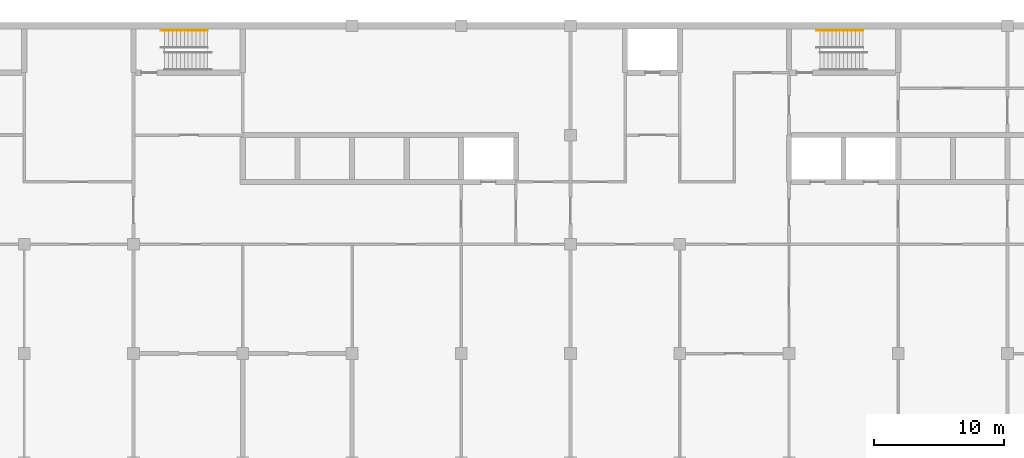
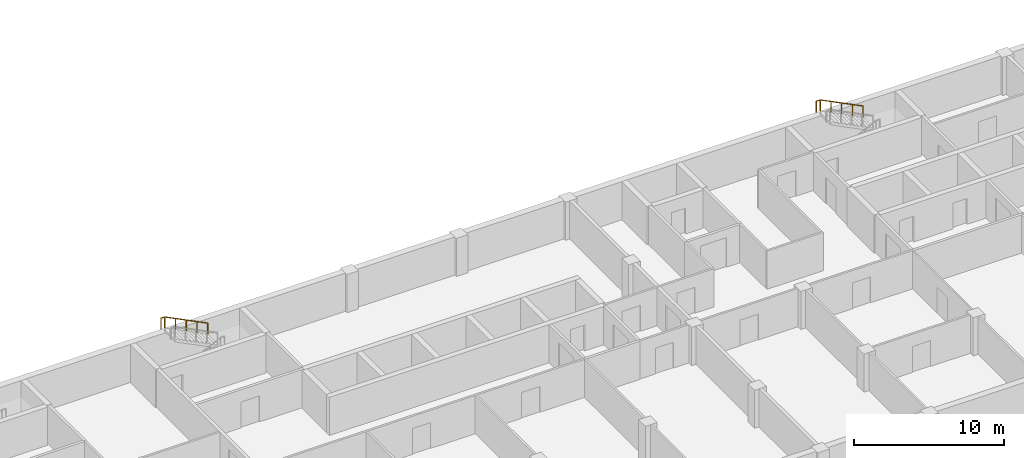
# One storey, part 11 of 12: 2 railings.
"""IFC4 building model written with IfcOpenShell, lengths in metres."""

from ifc_helpers import new_model, si_unit, direction, frame, origin, origin_2d, place, context, subcontext, project, spatial, circle, extrude, material, type_object, element, save


model = new_model("IFC4")

# Units and contexts
model_context = context("Model", 3, precision=1e-05, world=origin(), true_north=direction((0.0, 1.0)))
body_context = subcontext(model_context, "Body", "Model", "MODEL_VIEW")
ifc_project = project(units=[si_unit("LENGTHUNIT", "METRE"), si_unit("AREAUNIT", "SQUARE_METRE"), si_unit("VOLUMEUNIT", "CUBIC_METRE"), si_unit("PLANEANGLEUNIT", "RADIAN"), si_unit("MASSUNIT", "GRAM", prefix="KILO")], contexts=[model_context])

# Site, building, storey
site_placement = place(None, origin())
site = spatial("IfcSite", under=ifc_project, at=site_placement, CompositionType="ELEMENT")
building_placement = place(site_placement, origin())
building = spatial("IfcBuilding", under=site, at=building_placement, Name="Yavir Park General Hospital", CompositionType="ELEMENT")
storey_placement = place(building_placement, frame((0.0, 0.0, -7.800048828125)))
storey = spatial("IfcBuildingStorey", under=building, at=storey_placement, Name="B2", CompositionType="ELEMENT", Elevation=-7.800048828125)

# Railings
ifc_material = material(Name="Stainless steel tube 48 mm", Category="steel")
railing_type = type_object("IfcRailingType", Name="Stair handrail, steel tube, 900 mm above the nosings", PredefinedType="HANDRAIL", material=ifc_material)
railing_1_placement = place(storey_placement, frame((72.89990234375, 33.260009765625, 1.949951171875)))
element("IfcRailing", 1, at=railing_1_placement, inside=storey, type_object=railing_type, Name="Handrail BS3 B2 3", PredefinedType="HANDRAIL", context=body_context, shape_type="SweptSolid", body=[
    extrude(circle(Radius=0.02392578125, at=origin_2d()), frame((0.0, 0.0, 0.8759765625), z_axis=(-0.894400720042, 0.0, 0.447266533499), x_axis=(0.0, -1.0, 0.0)), (0.0, 0.0, 1.0), 3.689453125),
    extrude(circle(Radius=0.02392578125, at=origin_2d()), frame((-3.2998046875, 0.0, 2.52587890625), z_axis=(-1.0, 0.0, 0.0), x_axis=(0.0, -1.0, 0.0)), (0.0, 0.0, 1.0), 0.300048828125),
    extrude(circle(Radius=0.02099609375, at=origin_2d()), origin(), (0.0, 0.0, 1.0), 0.851806640625),
    extrude(circle(Radius=0.02099609375, at=origin_2d()), frame((-0.824951171875, 0.0, 0.41259765625)), (0.0, 0.0, 1.0), 0.851806640625),
    extrude(circle(Radius=0.02099609375, at=origin_2d()), frame((-1.64990234375, 0.0, 0.8251953125)), (0.0, 0.0, 1.0), 0.851806640625),
    extrude(circle(Radius=0.02099609375, at=origin_2d()), frame((-2.474853515625, 0.0, 1.237548828125)), (0.0, 0.0, 1.0), 0.851806640625),
    extrude(circle(Radius=0.02099609375, at=origin_2d()), frame((-3.2998046875, 0.0, 1.650146484375)), (0.0, 0.0, 1.0), 0.851806640625),
    extrude(circle(Radius=0.02099609375, at=origin_2d()), frame((-3.599853515625, 0.0, 1.650146484375)), (0.0, 0.0, 1.0), 0.851806640625),
])
railing_2_placement = place(storey_placement, frame((123.300048828125, 33.260009765625, 1.949951171875)))
element("IfcRailing", 2, at=railing_2_placement, inside=storey, type_object=railing_type, Name="Handrail BS4 B2 3", PredefinedType="HANDRAIL", context=body_context, shape_type="SweptSolid", body=[
    extrude(circle(Radius=0.02392578125, at=origin_2d()), frame((0.0, 0.0, 0.8759765625), z_axis=(-0.894413956696, 0.0, 0.447240063129), x_axis=(0.0, -1.0, 0.0)), (0.0, 0.0, 1.0), 3.689697265625),
    extrude(circle(Radius=0.02392578125, at=origin_2d()), frame((-3.300048828125, 0.0, 2.52587890625), z_axis=(-1.0, 0.0, 0.0), x_axis=(0.0, -1.0, 0.0)), (0.0, 0.0, 1.0), 0.300048828125),
    extrude(circle(Radius=0.02099609375, at=origin_2d()), origin(), (0.0, 0.0, 1.0), 0.851806640625),
    extrude(circle(Radius=0.02099609375, at=origin_2d()), frame((-0.824951171875, 0.0, 0.41259765625)), (0.0, 0.0, 1.0), 0.851806640625),
    extrude(circle(Radius=0.02099609375, at=origin_2d()), frame((-1.64990234375, 0.0, 0.8251953125)), (0.0, 0.0, 1.0), 0.851806640625),
    extrude(circle(Radius=0.02099609375, at=origin_2d()), frame((-2.47509765625, 0.0, 1.237548828125)), (0.0, 0.0, 1.0), 0.851806640625),
    extrude(circle(Radius=0.02099609375, at=origin_2d()), frame((-3.300048828125, 0.0, 1.650146484375)), (0.0, 0.0, 1.0), 0.851806640625),
    extrude(circle(Radius=0.02099609375, at=origin_2d()), frame((-3.60009765625, 0.0, 1.650146484375)), (0.0, 0.0, 1.0), 0.851806640625),
])

save(model, "model.ifc")
